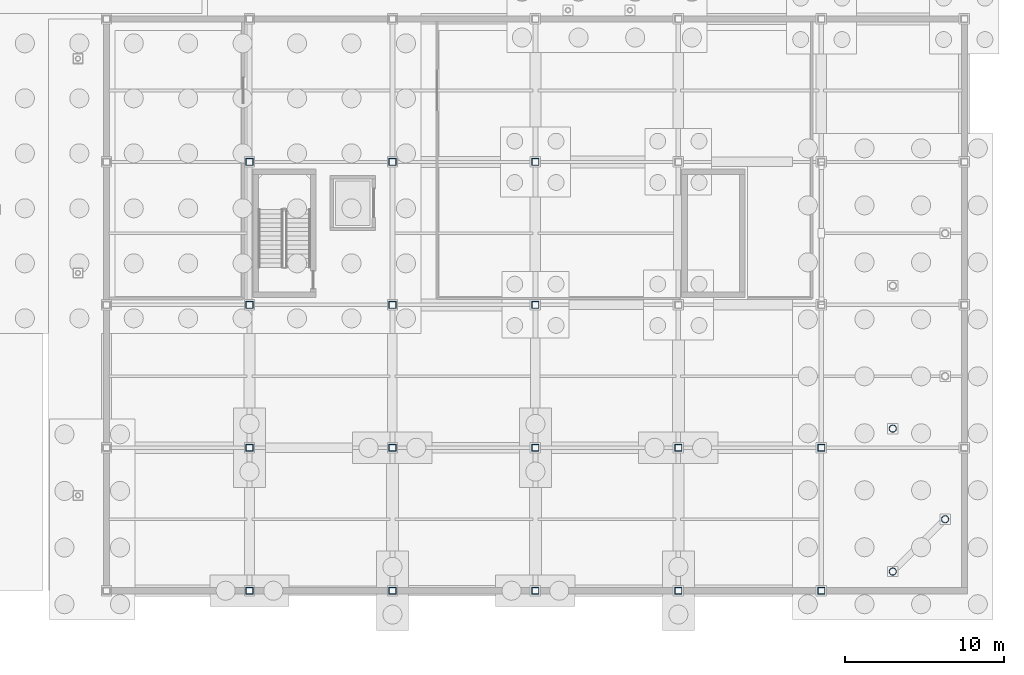
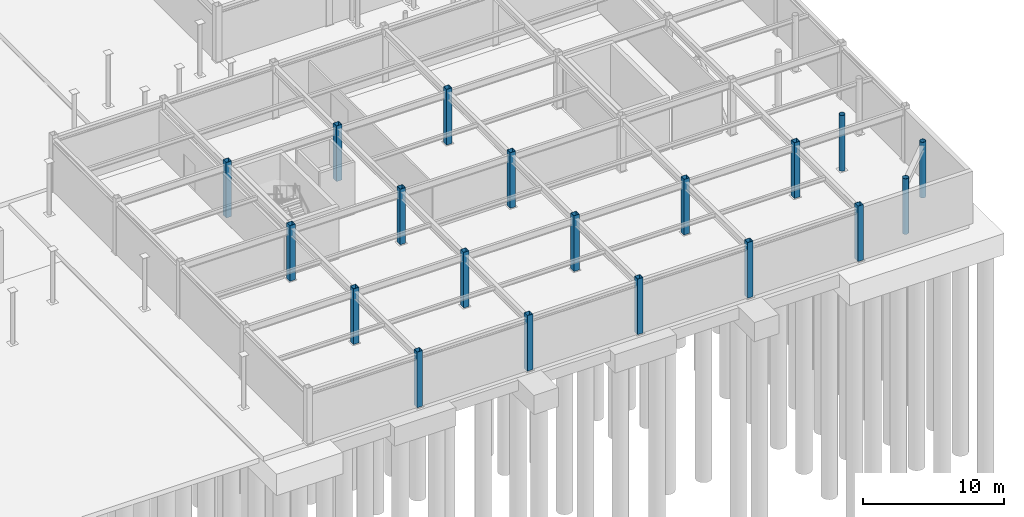
# One storey, part 33 of 74: 19 columns.
"""IFC4 building model written with IfcOpenShell, lengths in metres."""

from ifc_helpers import new_model, si_unit, direction, frame, origin, origin_2d, place, context, subcontext, project, spatial, hollow_rectangle, hollow_circle, extrude, material, material_profile, profile_set, type_object, element, save


model = new_model("IFC4")

# Units and contexts
model_context = context("Model", 3, precision=1e-05, world=origin(), true_north=direction((0.0, 1.0)))
body_context = subcontext(model_context, "Body", "Model", "MODEL_VIEW")
ifc_project = project(units=[si_unit("LENGTHUNIT", "METRE"), si_unit("AREAUNIT", "SQUARE_METRE"), si_unit("VOLUMEUNIT", "CUBIC_METRE"), si_unit("PLANEANGLEUNIT", "RADIAN"), si_unit("MASSUNIT", "GRAM", prefix="KILO")], contexts=[model_context])

# Site, building, storey
site_placement = place(None, origin())
site = spatial("IfcSite", under=ifc_project, at=site_placement, CompositionType="ELEMENT")
building_placement = place(site_placement, origin())
building = spatial("IfcBuilding", under=site, at=building_placement, Name="Suzunagisa Mobility Hub", CompositionType="ELEMENT")
storey_placement = place(building_placement, frame((0.0, 0.0, -4.800048828125)))
storey = spatial("IfcBuildingStorey", under=building, at=storey_placement, Name="B1", CompositionType="ELEMENT", Elevation=-4.800048828125)

# Columns
ifc_material = material(Name="Steel SN490B", Category="steel")
ifc_material_profile_1 = material_profile(ifc_material, hollow_circle(Radius=0.228515625, WallThickness=0.01611328125, at=origin_2d()), Name="CHS-457.2x16.0")
ifc_profile_set_1 = profile_set([ifc_material_profile_1], Name="Steel SN490B")
column_type_1 = type_object("IfcColumnType", Name="Steel Column CL-08 CHS-457.2x16.0", PredefinedType="COLUMN", material=ifc_profile_set_1)
for number, where, z_axis, x_axis, name in (
    (1, (175.5, 1.205810546875, 0.0), (0.0, 0.0, 1.0), (1.0, 0.0, 0.0), "B1 Column 309"),
    (2, (175.5, 10.205810546875, 0.0), (0.0, 0.0, 1.0), (1.0, 0.0, 0.0), "B1 Column 310"),
    (3, (178.794189453125, 4.5, 0.0), (0.0, 0.0, 1.0), (1.0, 0.0, 0.0), "B1 Column 315"),
):
    element("IfcColumn", number, at=place(storey_placement, frame(where, z_axis=z_axis, x_axis=x_axis)), inside=storey, type_object=column_type_1, Name=name, PredefinedType="COLUMN", context=body_context, shape_type="SweptSolid", body=[
        extrude(hollow_circle(Radius=0.228515625, WallThickness=0.01611328125, at=origin_2d()), origin(), (0.0, 0.0, 1.0), 4.800048828125),
    ])
ifc_material_profile_2 = material_profile(ifc_material, hollow_rectangle(XDim=0.449951171875, YDim=0.449951171875, WallThickness=0.02197265625, at=origin_2d()), Name="BCR-450x450x22")
ifc_profile_set_2 = profile_set([ifc_material_profile_2], Name="Steel SN490B")
column_type_2 = type_object("IfcColumnType", Name="Steel Column CL-17 BCR-450x450x22", PredefinedType="COLUMN", material=ifc_profile_set_2)
for number, where, z_axis, x_axis, name in (
    (4, (135.0, 0.0, 0.0), (0.0, 0.0, 1.0), (1.0, 0.0, 0.0), "B1 Column 242"),
    (5, (135.0, 9.0, 0.0), (0.0, 0.0, 1.0), (1.0, 0.0, 0.0), "B1 Column 243"),
    (6, (135.0, 18.0, 0.0), (0.0, 0.0, 1.0), (1.0, 0.0, 0.0), "B1 Column 244"),
    (7, (135.0, 27.0, 0.0), (0.0, 0.0, 1.0), (1.0, 0.0, 0.0), "B1 Column 245"),
    (8, (144.0, 0.0, 0.0), (0.0, 0.0, 1.0), (1.0, 0.0, 0.0), "B1 Column 251"),
    (9, (144.0, 9.0, 0.0), (0.0, 0.0, 1.0), (1.0, 0.0, 0.0), "B1 Column 252"),
    (10, (144.0, 18.0, 0.0), (0.0, 0.0, 1.0), (1.0, 0.0, 0.0), "B1 Column 253"),
    (11, (144.0, 27.0, 0.0), (0.0, 0.0, 1.0), (1.0, 0.0, 0.0), "B1 Column 254"),
    (12, (153.0, 0.0, 0.0), (0.0, 0.0, 1.0), (1.0, 0.0, 0.0), "B1 Column 264"),
    (13, (153.0, 9.0, 0.0), (0.0, 0.0, 1.0), (1.0, 0.0, 0.0), "B1 Column 265"),
    (14, (153.0, 18.0, 0.0), (0.0, 0.0, 1.0), (1.0, 0.0, 0.0), "B1 Column 266"),
    (15, (153.0, 27.0, 0.0), (0.0, 0.0, 1.0), (1.0, 0.0, 0.0), "B1 Column 267"),
    (16, (162.0, 0.0, 0.0), (0.0, 0.0, 1.0), (1.0, 0.0, 0.0), "B1 Column 283"),
    (17, (162.0, 9.0, 0.0), (0.0, 0.0, 1.0), (1.0, 0.0, 0.0), "B1 Column 284"),
    (18, (171.0, 0.0, 0.0), (0.0, 0.0, 1.0), (1.0, 0.0, 0.0), "B1 Column 296"),
    (19, (171.0, 9.0, 0.0), (0.0, 0.0, 1.0), (1.0, 0.0, 0.0), "B1 Column 297"),
):
    element("IfcColumn", number, at=place(storey_placement, frame(where, z_axis=z_axis, x_axis=x_axis)), inside=storey, type_object=column_type_2, Name=name, PredefinedType="COLUMN", context=body_context, shape_type="SweptSolid", body=[
        extrude(hollow_rectangle(XDim=0.449951171875, YDim=0.449951171875, WallThickness=0.02197265625, at=origin_2d()), origin(), (0.0, 0.0, 1.0), 4.800048828125),
    ])

save(model, "model.ifc")
